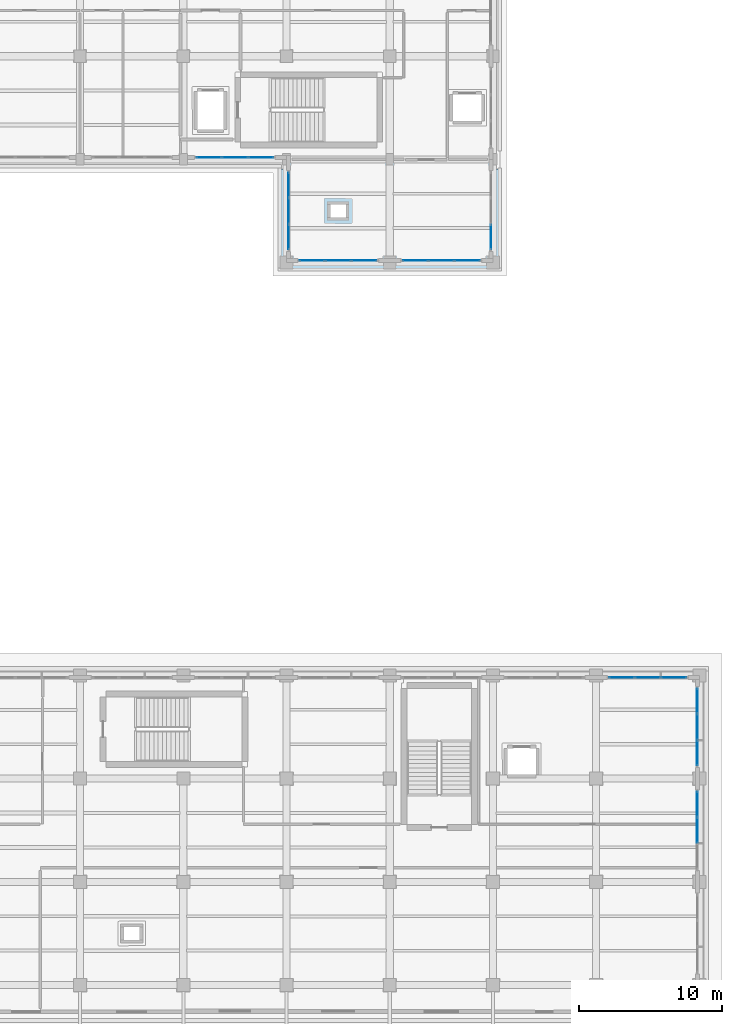
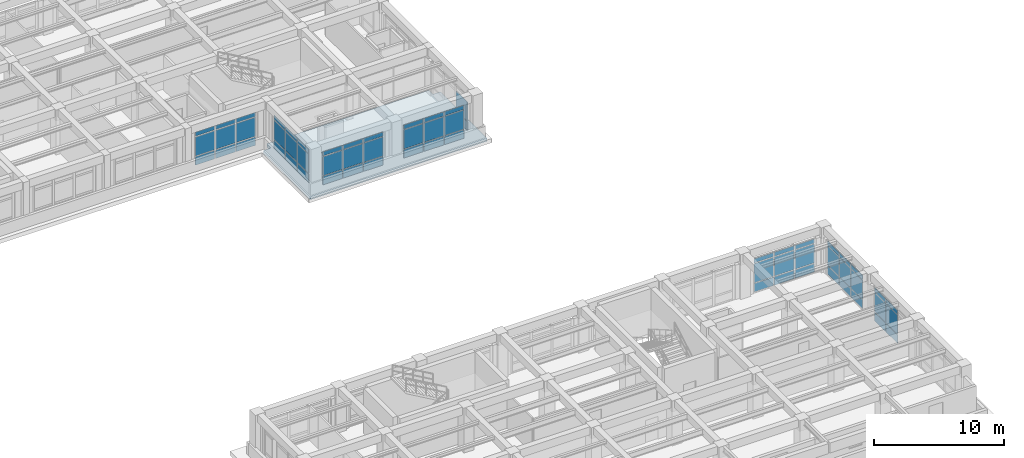
# One storey, part 45 of 69: 62 plates, 1 slab, 8 elements without a shape of their own.
"""IFC4 building model written with IfcOpenShell, lengths in metres."""

from ifc_helpers import new_model, si_unit, direction, frame, origin, origin_2d, place, context, subcontext, project, spatial, polyline, rectangle, outline, extrude, material, layer, layer_set, type_object, element, aggregate, save


model = new_model("IFC4")

# Units and contexts
model_context = context("Model", 3, precision=1e-05, world=origin(), true_north=direction((0.0, 1.0)))
body_context = subcontext(model_context, "Body", "Model", "MODEL_VIEW")
ifc_project = project(units=[si_unit("LENGTHUNIT", "METRE"), si_unit("AREAUNIT", "SQUARE_METRE"), si_unit("VOLUMEUNIT", "CUBIC_METRE"), si_unit("PLANEANGLEUNIT", "RADIAN"), si_unit("MASSUNIT", "GRAM", prefix="KILO")], contexts=[model_context])

# Site, building, storey
site_placement = place(None, origin())
site = spatial("IfcSite", under=ifc_project, at=site_placement, CompositionType="ELEMENT")
building_placement = place(site_placement, origin())
building = spatial("IfcBuilding", under=site, at=building_placement, Name="Solenvale Faculty of Natural Sciences", CompositionType="ELEMENT")
storey_placement = place(building_placement, frame((0.0, 0.0, 4.5)))
storey = spatial("IfcBuildingStorey", under=building, at=storey_placement, Name="L01", CompositionType="ELEMENT", Elevation=4.5)

# Curtain wall, plates
ifc_material_1 = material(Name="Anodised bronze aluminium", Category="aluminium")
ifc_layer_1 = layer(ifc_material_1, 0.179931640625)
ifc_layer_set_1 = layer_set([ifc_layer_1], Name="Anodised bronze aluminium")
curtain_wall_type_1 = type_object("IfcCurtainWallType", Name="CW-TWR-MOD", PredefinedType="USERDEFINED", material=ifc_layer_set_1)
curtain_wall_1_placement = place(storey_placement, origin())
curtain_wall_1 = element("IfcCurtainWall", 1, at=curtain_wall_1_placement, inside=storey, type_object=curtain_wall_type_1, Name="L01 Curtain Wall CW-L01-P2-E6-B8", ObjectType="UNITISED CURTAIN WALL", PredefinedType="USERDEFINED")
ifc_material_2 = material(Name="North-light skylight glass", Category="glass")
ifc_layer_2 = layer(ifc_material_2, 0.028076171875)
ifc_layer_set_2 = layer_set([ifc_layer_2], Name="North-light skylight glass")
plate_type_1 = type_object("IfcPlateType", Name="CWP-PNL-28", PredefinedType="CURTAIN_PANEL", material=ifc_layer_set_2)
plate_1_placement = place(storey_placement, frame((131.385498046875, 93.742431640625, 0.074951171875), z_axis=(0.0, 0.0, 1.0), x_axis=(1.0, 0.0, 0.0)))
plate_1 = element("IfcPlate", 2, at=plate_1_placement, type_object=plate_type_1, Name="CW-04 panel 1.1", PredefinedType="CURTAIN_PANEL", context=body_context, shape_type="SweptSolid", body=[
    extrude(rectangle(XDim=1.720947265625, YDim=0.028076171875, at=origin_2d()), origin(), (0.0, 0.0, 1.0), 0.78759765625),
])
plate_2_placement = place(storey_placement, frame((131.385498046875, 93.742431640625, 0.9375), z_axis=(0.0, 0.0, 1.0), x_axis=(1.0, 0.0, 0.0)))
plate_2 = element("IfcPlate", 3, at=plate_2_placement, type_object=plate_type_1, Name="CW-04 panel 1.2", PredefinedType="CURTAIN_PANEL", context=body_context, shape_type="SweptSolid", body=[
    extrude(rectangle(XDim=1.720947265625, YDim=0.028076171875, at=origin_2d()), origin(), (0.0, 0.0, 1.0), 1.784912109375),
])
plate_3_placement = place(storey_placement, frame((131.385498046875, 93.742431640625, 2.79736328125), z_axis=(0.0, 0.0, 1.0), x_axis=(1.0, 0.0, 0.0)))
plate_3 = element("IfcPlate", 4, at=plate_3_placement, type_object=plate_type_1, Name="CW-04 panel 1.3", PredefinedType="CURTAIN_PANEL", context=body_context, shape_type="SweptSolid", body=[
    extrude(rectangle(XDim=1.720947265625, YDim=0.028076171875, at=origin_2d()), origin(), (0.0, 0.0, 1.0), 0.387451171875),
])
plate_4_placement = place(storey_placement, frame((133.199951171875, 93.742431640625, 0.074951171875), z_axis=(0.0, 0.0, 1.0), x_axis=(1.0, 0.0, 0.0)))
plate_4 = element("IfcPlate", 5, at=plate_4_placement, type_object=plate_type_1, Name="CW-04 panel 2.1", PredefinedType="CURTAIN_PANEL", context=body_context, shape_type="SweptSolid", body=[
    extrude(rectangle(XDim=1.75830078125, YDim=0.028076171875, at=origin_2d()), origin(), (0.0, 0.0, 1.0), 0.78759765625),
])
plate_5_placement = place(storey_placement, frame((133.199951171875, 93.742431640625, 0.9375), z_axis=(0.0, 0.0, 1.0), x_axis=(1.0, 0.0, 0.0)))
plate_5 = element("IfcPlate", 6, at=plate_5_placement, type_object=plate_type_1, Name="CW-04 panel 2.2", PredefinedType="CURTAIN_PANEL", context=body_context, shape_type="SweptSolid", body=[
    extrude(rectangle(XDim=1.75830078125, YDim=0.028076171875, at=origin_2d()), origin(), (0.0, 0.0, 1.0), 1.784912109375),
])
plate_6_placement = place(storey_placement, frame((133.199951171875, 93.742431640625, 2.79736328125), z_axis=(0.0, 0.0, 1.0), x_axis=(1.0, 0.0, 0.0)))
plate_6 = element("IfcPlate", 7, at=plate_6_placement, type_object=plate_type_1, Name="CW-04 panel 2.3", PredefinedType="CURTAIN_PANEL", context=body_context, shape_type="SweptSolid", body=[
    extrude(rectangle(XDim=1.75830078125, YDim=0.028076171875, at=origin_2d()), origin(), (0.0, 0.0, 1.0), 0.387451171875),
])
plate_7_placement = place(storey_placement, frame((135.0146484375, 93.742431640625, 0.074951171875), z_axis=(0.0, 0.0, 1.0), x_axis=(1.0, 0.0, 0.0)))
plate_7 = element("IfcPlate", 8, at=plate_7_placement, type_object=plate_type_1, Name="CW-04 panel 3.1", PredefinedType="CURTAIN_PANEL", context=body_context, shape_type="SweptSolid", body=[
    extrude(rectangle(XDim=1.720947265625, YDim=0.028076171875, at=origin_2d()), origin(), (0.0, 0.0, 1.0), 0.78759765625),
])
plate_8_placement = place(storey_placement, frame((135.0146484375, 93.742431640625, 0.9375), z_axis=(0.0, 0.0, 1.0), x_axis=(1.0, 0.0, 0.0)))
plate_8 = element("IfcPlate", 9, at=plate_8_placement, type_object=plate_type_1, Name="CW-04 panel 3.2", PredefinedType="CURTAIN_PANEL", context=body_context, shape_type="SweptSolid", body=[
    extrude(rectangle(XDim=1.720947265625, YDim=0.028076171875, at=origin_2d()), origin(), (0.0, 0.0, 1.0), 1.784912109375),
])
plate_9_placement = place(storey_placement, frame((135.0146484375, 93.742431640625, 2.79736328125), z_axis=(0.0, 0.0, 1.0), x_axis=(1.0, 0.0, 0.0)))
plate_9 = element("IfcPlate", 10, at=plate_9_placement, type_object=plate_type_1, Name="CW-04 panel 3.3", PredefinedType="CURTAIN_PANEL", context=body_context, shape_type="SweptSolid", body=[
    extrude(rectangle(XDim=1.720947265625, YDim=0.028076171875, at=origin_2d()), origin(), (0.0, 0.0, 1.0), 0.387451171875),
])
aggregate(curtain_wall_1, [plate_1, plate_2, plate_3, plate_4, plate_5, plate_6, plate_7, plate_8, plate_9])

curtain_wall_2_placement = place(storey_placement, origin())
curtain_wall_2 = element("IfcCurtainWall", 11, at=curtain_wall_2_placement, inside=storey, type_object=curtain_wall_type_1, Name="L01 Curtain Wall CW-L01-P2-E7-B1", ObjectType="UNITISED CURTAIN WALL", PredefinedType="USERDEFINED")
ifc_material_3 = material(Name="Triple low-E insulated glass", Category="glass")
ifc_layer_3 = layer(ifc_material_3, 0.035888671875)
ifc_layer_set_3 = layer_set([ifc_layer_3], Name="Triple low-E insulated glass")
plate_type_2 = type_object("IfcPlateType", Name="CWP-PNL-36", PredefinedType="CURTAIN_PANEL", material=ifc_layer_set_3)
plate_10_placement = place(storey_placement, frame((136.9423828125, 91.814697265625, 0.074951171875), z_axis=(0.0, 0.0, 1.0), x_axis=(0.0, -1.0, 0.0)))
plate_10 = element("IfcPlate", 12, at=plate_10_placement, type_object=plate_type_2, Name="CW-04 panel 1.1", PredefinedType="CURTAIN_PANEL", context=body_context, shape_type="SweptSolid", body=[
    extrude(rectangle(XDim=1.720947265625, YDim=0.035888671875, at=origin_2d()), origin(), (0.0, 0.0, 1.0), 0.78759765625),
])
plate_11_placement = place(storey_placement, frame((136.9423828125, 91.814697265625, 0.9375), z_axis=(0.0, 0.0, 1.0), x_axis=(0.0, -1.0, 0.0)))
plate_11 = element("IfcPlate", 13, at=plate_11_placement, type_object=plate_type_2, Name="CW-04 panel 1.2", PredefinedType="CURTAIN_PANEL", context=body_context, shape_type="SweptSolid", body=[
    extrude(rectangle(XDim=1.720947265625, YDim=0.035888671875, at=origin_2d()), origin(), (0.0, 0.0, 1.0), 1.784912109375),
])
plate_12_placement = place(storey_placement, frame((136.9423828125, 91.814697265625, 2.79736328125), z_axis=(0.0, 0.0, 1.0), x_axis=(0.0, -1.0, 0.0)))
plate_12 = element("IfcPlate", 14, at=plate_12_placement, type_object=plate_type_2, Name="CW-04 panel 1.3", PredefinedType="CURTAIN_PANEL", context=body_context, shape_type="SweptSolid", body=[
    extrude(rectangle(XDim=1.720947265625, YDim=0.035888671875, at=origin_2d()), origin(), (0.0, 0.0, 1.0), 0.387451171875),
])
plate_13_placement = place(storey_placement, frame((136.9423828125, 90.0, 0.074951171875), z_axis=(0.0, 0.0, 1.0), x_axis=(0.0, -1.0, 0.0)))
plate_13 = element("IfcPlate", 15, at=plate_13_placement, type_object=plate_type_2, Name="CW-04 panel 2.1", PredefinedType="CURTAIN_PANEL", context=body_context, shape_type="SweptSolid", body=[
    extrude(rectangle(XDim=1.75830078125, YDim=0.035888671875, at=origin_2d()), origin(), (0.0, 0.0, 1.0), 0.78759765625),
])
plate_14_placement = place(storey_placement, frame((136.9423828125, 90.0, 0.9375), z_axis=(0.0, 0.0, 1.0), x_axis=(0.0, -1.0, 0.0)))
plate_14 = element("IfcPlate", 16, at=plate_14_placement, type_object=plate_type_2, Name="CW-04 panel 2.2", PredefinedType="CURTAIN_PANEL", context=body_context, shape_type="SweptSolid", body=[
    extrude(rectangle(XDim=1.75830078125, YDim=0.035888671875, at=origin_2d()), origin(), (0.0, 0.0, 1.0), 1.784912109375),
])
plate_15_placement = place(storey_placement, frame((136.9423828125, 90.0, 2.79736328125), z_axis=(0.0, 0.0, 1.0), x_axis=(0.0, -1.0, 0.0)))
plate_15 = element("IfcPlate", 17, at=plate_15_placement, type_object=plate_type_2, Name="CW-04 panel 2.3", PredefinedType="CURTAIN_PANEL", context=body_context, shape_type="SweptSolid", body=[
    extrude(rectangle(XDim=1.75830078125, YDim=0.035888671875, at=origin_2d()), origin(), (0.0, 0.0, 1.0), 0.387451171875),
])
plate_16_placement = place(storey_placement, frame((136.9423828125, 88.185302734375, 0.074951171875), z_axis=(0.0, 0.0, 1.0), x_axis=(0.0, -1.0, 0.0)))
plate_16 = element("IfcPlate", 18, at=plate_16_placement, type_object=plate_type_2, Name="CW-04 panel 3.1", PredefinedType="CURTAIN_PANEL", context=body_context, shape_type="SweptSolid", body=[
    extrude(rectangle(XDim=1.720947265625, YDim=0.035888671875, at=origin_2d()), origin(), (0.0, 0.0, 1.0), 0.78759765625),
])
plate_17_placement = place(storey_placement, frame((136.9423828125, 88.185302734375, 0.9375), z_axis=(0.0, 0.0, 1.0), x_axis=(0.0, -1.0, 0.0)))
plate_17 = element("IfcPlate", 19, at=plate_17_placement, type_object=plate_type_2, Name="CW-04 panel 3.2", PredefinedType="CURTAIN_PANEL", context=body_context, shape_type="SweptSolid", body=[
    extrude(rectangle(XDim=1.720947265625, YDim=0.035888671875, at=origin_2d()), origin(), (0.0, 0.0, 1.0), 1.784912109375),
])
plate_18_placement = place(storey_placement, frame((136.9423828125, 88.185302734375, 2.79736328125), z_axis=(0.0, 0.0, 1.0), x_axis=(0.0, -1.0, 0.0)))
plate_18 = element("IfcPlate", 20, at=plate_18_placement, type_object=plate_type_2, Name="CW-04 panel 3.3", PredefinedType="CURTAIN_PANEL", context=body_context, shape_type="SweptSolid", body=[
    extrude(rectangle(XDim=1.720947265625, YDim=0.035888671875, at=origin_2d()), origin(), (0.0, 0.0, 1.0), 0.387451171875),
])
aggregate(curtain_wall_2, [plate_10, plate_11, plate_12, plate_13, plate_14, plate_15, plate_16, plate_17, plate_18])

ifc_layer_4 = layer(ifc_material_1, 0.199951171875)
ifc_layer_set_4 = layer_set([ifc_layer_4], Name="Anodised bronze aluminium")
curtain_wall_type_2 = type_object("IfcCurtainWallType", Name="CW-COM-FIN", PredefinedType="USERDEFINED", material=ifc_layer_set_4)
curtain_wall_3_placement = place(storey_placement, origin())
curtain_wall_3 = element("IfcCurtainWall", 21, at=curtain_wall_3_placement, inside=storey, type_object=curtain_wall_type_2, Name="L01 Curtain Wall CW-L01-P1-E9-B1", ObjectType="UNITISED CURTAIN WALL", PredefinedType="USERDEFINED")
ifc_layer_5 = layer(ifc_material_3, 0.0439453125)
ifc_layer_set_5 = layer_set([ifc_layer_5], Name="Triple low-E insulated glass")
plate_type_3 = type_object("IfcPlateType", Name="CWP-PNL-44", PredefinedType="CURTAIN_PANEL", material=ifc_layer_set_5)
plate_19_placement = place(storey_placement, frame((163.814697265625, 57.45751953125, 0.074951171875), z_axis=(0.0, 0.0, 1.0), x_axis=(-1.0, 0.0, 0.0)))
plate_19 = element("IfcPlate", 22, at=plate_19_placement, type_object=plate_type_3, Name="CW-03 panel 1.1", PredefinedType="CURTAIN_PANEL", context=body_context, shape_type="SweptSolid", body=[
    extrude(rectangle(XDim=1.720947265625, YDim=0.0439453125, at=origin_2d()), origin(), (0.0, 0.0, 1.0), 0.78759765625),
])
plate_20_placement = place(storey_placement, frame((163.814697265625, 57.45751953125, 0.9375), z_axis=(0.0, 0.0, 1.0), x_axis=(-1.0, 0.0, 0.0)))
plate_20 = element("IfcPlate", 23, at=plate_20_placement, type_object=plate_type_3, Name="CW-03 panel 1.2", PredefinedType="CURTAIN_PANEL", context=body_context, shape_type="SweptSolid", body=[
    extrude(rectangle(XDim=1.720947265625, YDim=0.0439453125, at=origin_2d()), origin(), (0.0, 0.0, 1.0), 1.784912109375),
])
plate_21_placement = place(storey_placement, frame((163.814697265625, 57.45751953125, 2.79736328125), z_axis=(0.0, 0.0, 1.0), x_axis=(-1.0, 0.0, 0.0)))
plate_21 = element("IfcPlate", 24, at=plate_21_placement, type_object=plate_type_3, Name="CW-03 panel 1.3", PredefinedType="CURTAIN_PANEL", context=body_context, shape_type="SweptSolid", body=[
    extrude(rectangle(XDim=1.720947265625, YDim=0.0439453125, at=origin_2d()), origin(), (0.0, 0.0, 1.0), 0.387451171875),
])
plate_22_placement = place(storey_placement, frame((162.0, 57.45751953125, 0.074951171875), z_axis=(0.0, 0.0, 1.0), x_axis=(-1.0, 0.0, 0.0)))
plate_22 = element("IfcPlate", 25, at=plate_22_placement, type_object=plate_type_3, Name="CW-03 panel 2.1", PredefinedType="CURTAIN_PANEL", context=body_context, shape_type="SweptSolid", body=[
    extrude(rectangle(XDim=1.75830078125, YDim=0.0439453125, at=origin_2d()), origin(), (0.0, 0.0, 1.0), 0.78759765625),
])
plate_23_placement = place(storey_placement, frame((162.0, 57.45751953125, 0.9375), z_axis=(0.0, 0.0, 1.0), x_axis=(-1.0, 0.0, 0.0)))
plate_23 = element("IfcPlate", 26, at=plate_23_placement, type_object=plate_type_3, Name="CW-03 panel 2.2", PredefinedType="CURTAIN_PANEL", context=body_context, shape_type="SweptSolid", body=[
    extrude(rectangle(XDim=1.75830078125, YDim=0.0439453125, at=origin_2d()), origin(), (0.0, 0.0, 1.0), 1.784912109375),
])
plate_24_placement = place(storey_placement, frame((162.0, 57.45751953125, 2.79736328125), z_axis=(0.0, 0.0, 1.0), x_axis=(-1.0, 0.0, 0.0)))
plate_24 = element("IfcPlate", 27, at=plate_24_placement, type_object=plate_type_3, Name="CW-03 panel 2.3", PredefinedType="CURTAIN_PANEL", context=body_context, shape_type="SweptSolid", body=[
    extrude(rectangle(XDim=1.75830078125, YDim=0.0439453125, at=origin_2d()), origin(), (0.0, 0.0, 1.0), 0.387451171875),
])
plate_25_placement = place(storey_placement, frame((160.185302734375, 57.45751953125, 0.074951171875), z_axis=(0.0, 0.0, 1.0), x_axis=(-1.0, 0.0, 0.0)))
plate_25 = element("IfcPlate", 28, at=plate_25_placement, type_object=plate_type_3, Name="CW-03 panel 3.1", PredefinedType="CURTAIN_PANEL", context=body_context, shape_type="SweptSolid", body=[
    extrude(rectangle(XDim=1.720947265625, YDim=0.0439453125, at=origin_2d()), origin(), (0.0, 0.0, 1.0), 0.78759765625),
])
plate_26_placement = place(storey_placement, frame((160.185302734375, 57.45751953125, 0.9375), z_axis=(0.0, 0.0, 1.0), x_axis=(-1.0, 0.0, 0.0)))
plate_26 = element("IfcPlate", 29, at=plate_26_placement, type_object=plate_type_3, Name="CW-03 panel 3.2", PredefinedType="CURTAIN_PANEL", context=body_context, shape_type="SweptSolid", body=[
    extrude(rectangle(XDim=1.720947265625, YDim=0.0439453125, at=origin_2d()), origin(), (0.0, 0.0, 1.0), 1.784912109375),
])
plate_27_placement = place(storey_placement, frame((160.185302734375, 57.45751953125, 2.79736328125), z_axis=(0.0, 0.0, 1.0), x_axis=(-1.0, 0.0, 0.0)))
plate_27 = element("IfcPlate", 30, at=plate_27_placement, type_object=plate_type_3, Name="CW-03 panel 3.3", PredefinedType="CURTAIN_PANEL", context=body_context, shape_type="SweptSolid", body=[
    extrude(rectangle(XDim=1.720947265625, YDim=0.0439453125, at=origin_2d()), origin(), (0.0, 0.0, 1.0), 0.387451171875),
])
aggregate(curtain_wall_3, [plate_19, plate_20, plate_21, plate_22, plate_23, plate_24, plate_25, plate_26, plate_27])

curtain_wall_4_placement = place(storey_placement, origin())
curtain_wall_4 = element("IfcCurtainWall", 31, at=curtain_wall_4_placement, inside=storey, type_object=curtain_wall_type_1, Name="L01 Curtain Wall CW-L01-P2-E1-B1", ObjectType="UNITISED CURTAIN WALL", PredefinedType="USERDEFINED")
plate_28_placement = place(storey_placement, frame((138.58544921875, 86.54248046875, 0.074951171875), z_axis=(0.0, 0.0, 1.0), x_axis=(1.0, 0.0, 0.0)))
plate_28 = element("IfcPlate", 32, at=plate_28_placement, type_object=plate_type_3, Name="CW-04 panel 1.1", PredefinedType="CURTAIN_PANEL", context=body_context, shape_type="SweptSolid", body=[
    extrude(rectangle(XDim=1.720947265625, YDim=0.0439453125, at=origin_2d()), origin(), (0.0, 0.0, 1.0), 0.78759765625),
])
plate_29_placement = place(storey_placement, frame((138.58544921875, 86.54248046875, 0.9375), z_axis=(0.0, 0.0, 1.0), x_axis=(1.0, 0.0, 0.0)))
plate_29 = element("IfcPlate", 33, at=plate_29_placement, type_object=plate_type_3, Name="CW-04 panel 1.2", PredefinedType="CURTAIN_PANEL", context=body_context, shape_type="SweptSolid", body=[
    extrude(rectangle(XDim=1.720947265625, YDim=0.0439453125, at=origin_2d()), origin(), (0.0, 0.0, 1.0), 1.784912109375),
])
plate_30_placement = place(storey_placement, frame((138.58544921875, 86.54248046875, 2.79736328125), z_axis=(0.0, 0.0, 1.0), x_axis=(1.0, 0.0, 0.0)))
plate_30 = element("IfcPlate", 34, at=plate_30_placement, type_object=plate_type_3, Name="CW-04 panel 1.3", PredefinedType="CURTAIN_PANEL", context=body_context, shape_type="SweptSolid", body=[
    extrude(rectangle(XDim=1.720947265625, YDim=0.0439453125, at=origin_2d()), origin(), (0.0, 0.0, 1.0), 0.387451171875),
])
plate_31_placement = place(storey_placement, frame((140.39990234375, 86.54248046875, 0.074951171875), z_axis=(0.0, 0.0, 1.0), x_axis=(1.0, 0.0, 0.0)))
plate_31 = element("IfcPlate", 35, at=plate_31_placement, type_object=plate_type_3, Name="CW-04 panel 2.1", PredefinedType="CURTAIN_PANEL", context=body_context, shape_type="SweptSolid", body=[
    extrude(rectangle(XDim=1.75830078125, YDim=0.0439453125, at=origin_2d()), origin(), (0.0, 0.0, 1.0), 0.78759765625),
])
plate_32_placement = place(storey_placement, frame((140.39990234375, 86.54248046875, 0.9375), z_axis=(0.0, 0.0, 1.0), x_axis=(1.0, 0.0, 0.0)))
plate_32 = element("IfcPlate", 36, at=plate_32_placement, type_object=plate_type_3, Name="CW-04 panel 2.2", PredefinedType="CURTAIN_PANEL", context=body_context, shape_type="SweptSolid", body=[
    extrude(rectangle(XDim=1.75830078125, YDim=0.0439453125, at=origin_2d()), origin(), (0.0, 0.0, 1.0), 1.784912109375),
])
plate_33_placement = place(storey_placement, frame((140.39990234375, 86.54248046875, 2.79736328125), z_axis=(0.0, 0.0, 1.0), x_axis=(1.0, 0.0, 0.0)))
plate_33 = element("IfcPlate", 37, at=plate_33_placement, type_object=plate_type_3, Name="CW-04 panel 2.3", PredefinedType="CURTAIN_PANEL", context=body_context, shape_type="SweptSolid", body=[
    extrude(rectangle(XDim=1.75830078125, YDim=0.0439453125, at=origin_2d()), origin(), (0.0, 0.0, 1.0), 0.387451171875),
])
plate_34_placement = place(storey_placement, frame((142.214599609375, 86.54248046875, 0.074951171875), z_axis=(0.0, 0.0, 1.0), x_axis=(1.0, 0.0, 0.0)))
plate_34 = element("IfcPlate", 38, at=plate_34_placement, type_object=plate_type_3, Name="CW-04 panel 3.1", PredefinedType="CURTAIN_PANEL", context=body_context, shape_type="SweptSolid", body=[
    extrude(rectangle(XDim=1.720947265625, YDim=0.0439453125, at=origin_2d()), origin(), (0.0, 0.0, 1.0), 0.78759765625),
])
plate_35_placement = place(storey_placement, frame((142.214599609375, 86.54248046875, 0.9375), z_axis=(0.0, 0.0, 1.0), x_axis=(1.0, 0.0, 0.0)))
plate_35 = element("IfcPlate", 39, at=plate_35_placement, type_object=plate_type_3, Name="CW-04 panel 3.2", PredefinedType="CURTAIN_PANEL", context=body_context, shape_type="SweptSolid", body=[
    extrude(rectangle(XDim=1.720947265625, YDim=0.0439453125, at=origin_2d()), origin(), (0.0, 0.0, 1.0), 1.784912109375),
])
plate_36_placement = place(storey_placement, frame((142.214599609375, 86.54248046875, 2.79736328125), z_axis=(0.0, 0.0, 1.0), x_axis=(1.0, 0.0, 0.0)))
plate_36 = element("IfcPlate", 40, at=plate_36_placement, type_object=plate_type_3, Name="CW-04 panel 3.3", PredefinedType="CURTAIN_PANEL", context=body_context, shape_type="SweptSolid", body=[
    extrude(rectangle(XDim=1.720947265625, YDim=0.0439453125, at=origin_2d()), origin(), (0.0, 0.0, 1.0), 0.387451171875),
])
aggregate(curtain_wall_4, [plate_28, plate_29, plate_30, plate_31, plate_32, plate_33, plate_34, plate_35, plate_36])

curtain_wall_5_placement = place(storey_placement, origin())
curtain_wall_5 = element("IfcCurtainWall", 41, at=curtain_wall_5_placement, inside=storey, type_object=curtain_wall_type_2, Name="L01 Curtain Wall CW-L01-P1-E8-B3", ObjectType="UNITISED CURTAIN WALL", PredefinedType="USERDEFINED")
ifc_layer_6 = layer(ifc_material_1, 0.048095703125)
ifc_layer_set_6 = layer_set([ifc_layer_6], Name="Anodised bronze aluminium")
plate_type_4 = type_object("IfcPlateType", Name="CWP-PNL-48", PredefinedType="CURTAIN_PANEL", material=ifc_layer_set_6)
plate_37_placement = place(storey_placement, frame((165.45751953125, 46.800048828125, 0.074951171875), z_axis=(0.0, 0.0, 1.0), x_axis=(0.0, 1.0, 0.0)))
plate_37 = element("IfcPlate", 42, at=plate_37_placement, type_object=plate_type_4, Name="CW-03 panel 2.1", PredefinedType="CURTAIN_PANEL", context=body_context, shape_type="SweptSolid", body=[
    extrude(rectangle(XDim=1.75830078125, YDim=0.048095703125, at=origin_2d()), origin(), (0.0, 0.0, 1.0), 0.78759765625),
])
plate_38_placement = place(storey_placement, frame((165.45751953125, 46.800048828125, 0.9375), z_axis=(0.0, 0.0, 1.0), x_axis=(0.0, 1.0, 0.0)))
plate_38 = element("IfcPlate", 43, at=plate_38_placement, type_object=plate_type_4, Name="CW-03 panel 2.2", PredefinedType="CURTAIN_PANEL", context=body_context, shape_type="SweptSolid", body=[
    extrude(rectangle(XDim=1.75830078125, YDim=0.048095703125, at=origin_2d()), origin(), (0.0, 0.0, 1.0), 1.784912109375),
])
plate_39_placement = place(storey_placement, frame((165.45751953125, 46.800048828125, 2.79736328125), z_axis=(0.0, 0.0, 1.0), x_axis=(0.0, 1.0, 0.0)))
plate_39 = element("IfcPlate", 44, at=plate_39_placement, type_object=plate_type_4, Name="CW-03 panel 2.3", PredefinedType="CURTAIN_PANEL", context=body_context, shape_type="SweptSolid", body=[
    extrude(rectangle(XDim=1.75830078125, YDim=0.048095703125, at=origin_2d()), origin(), (0.0, 0.0, 1.0), 0.387451171875),
])
plate_40_placement = place(storey_placement, frame((165.45751953125, 48.614501953125, 0.074951171875), z_axis=(0.0, 0.0, 1.0), x_axis=(0.0, 1.0, 0.0)))
plate_40 = element("IfcPlate", 45, at=plate_40_placement, type_object=plate_type_4, Name="CW-03 panel 3.1", PredefinedType="CURTAIN_PANEL", context=body_context, shape_type="SweptSolid", body=[
    extrude(rectangle(XDim=1.720947265625, YDim=0.048095703125, at=origin_2d()), origin(), (0.0, 0.0, 1.0), 0.78759765625),
])
plate_41_placement = place(storey_placement, frame((165.45751953125, 48.614501953125, 0.9375), z_axis=(0.0, 0.0, 1.0), x_axis=(0.0, 1.0, 0.0)))
plate_41 = element("IfcPlate", 46, at=plate_41_placement, type_object=plate_type_4, Name="CW-03 panel 3.2", PredefinedType="CURTAIN_PANEL", context=body_context, shape_type="SweptSolid", body=[
    extrude(rectangle(XDim=1.720947265625, YDim=0.048095703125, at=origin_2d()), origin(), (0.0, 0.0, 1.0), 1.784912109375),
])
plate_42_placement = place(storey_placement, frame((165.45751953125, 48.614501953125, 2.79736328125), z_axis=(0.0, 0.0, 1.0), x_axis=(0.0, 1.0, 0.0)))
plate_42 = element("IfcPlate", 47, at=plate_42_placement, type_object=plate_type_4, Name="CW-03 panel 3.3", PredefinedType="CURTAIN_PANEL", context=body_context, shape_type="SweptSolid", body=[
    extrude(rectangle(XDim=1.720947265625, YDim=0.048095703125, at=origin_2d()), origin(), (0.0, 0.0, 1.0), 0.387451171875),
])
aggregate(curtain_wall_5, [plate_37, plate_38, plate_39, plate_40, plate_41, plate_42])

curtain_wall_6_placement = place(storey_placement, origin())
curtain_wall_6 = element("IfcCurtainWall", 48, at=curtain_wall_6_placement, inside=storey, type_object=curtain_wall_type_1, Name="L01 Curtain Wall CW-L01-P2-E1-B2", ObjectType="UNITISED CURTAIN WALL", PredefinedType="USERDEFINED")
plate_43_placement = place(storey_placement, frame((145.785400390625, 86.54248046875, 0.074951171875), z_axis=(0.0, 0.0, 1.0), x_axis=(1.0, 0.0, 0.0)))
plate_43 = element("IfcPlate", 49, at=plate_43_placement, type_object=plate_type_4, Name="CW-04 panel 1.1", PredefinedType="CURTAIN_PANEL", context=body_context, shape_type="SweptSolid", body=[
    extrude(rectangle(XDim=1.720947265625, YDim=0.048095703125, at=origin_2d()), origin(), (0.0, 0.0, 1.0), 0.78759765625),
])
plate_44_placement = place(storey_placement, frame((145.785400390625, 86.54248046875, 0.9375), z_axis=(0.0, 0.0, 1.0), x_axis=(1.0, 0.0, 0.0)))
plate_44 = element("IfcPlate", 50, at=plate_44_placement, type_object=plate_type_4, Name="CW-04 panel 1.2", PredefinedType="CURTAIN_PANEL", context=body_context, shape_type="SweptSolid", body=[
    extrude(rectangle(XDim=1.720947265625, YDim=0.048095703125, at=origin_2d()), origin(), (0.0, 0.0, 1.0), 1.784912109375),
])
plate_45_placement = place(storey_placement, frame((145.785400390625, 86.54248046875, 2.79736328125), z_axis=(0.0, 0.0, 1.0), x_axis=(1.0, 0.0, 0.0)))
plate_45 = element("IfcPlate", 51, at=plate_45_placement, type_object=plate_type_4, Name="CW-04 panel 1.3", PredefinedType="CURTAIN_PANEL", context=body_context, shape_type="SweptSolid", body=[
    extrude(rectangle(XDim=1.720947265625, YDim=0.048095703125, at=origin_2d()), origin(), (0.0, 0.0, 1.0), 0.387451171875),
])
plate_46_placement = place(storey_placement, frame((147.60009765625, 86.54248046875, 0.074951171875), z_axis=(0.0, 0.0, 1.0), x_axis=(1.0, 0.0, 0.0)))
plate_46 = element("IfcPlate", 52, at=plate_46_placement, type_object=plate_type_4, Name="CW-04 panel 2.1", PredefinedType="CURTAIN_PANEL", context=body_context, shape_type="SweptSolid", body=[
    extrude(rectangle(XDim=1.75830078125, YDim=0.048095703125, at=origin_2d()), origin(), (0.0, 0.0, 1.0), 0.78759765625),
])
plate_47_placement = place(storey_placement, frame((147.60009765625, 86.54248046875, 0.9375), z_axis=(0.0, 0.0, 1.0), x_axis=(1.0, 0.0, 0.0)))
plate_47 = element("IfcPlate", 53, at=plate_47_placement, type_object=plate_type_4, Name="CW-04 panel 2.2", PredefinedType="CURTAIN_PANEL", context=body_context, shape_type="SweptSolid", body=[
    extrude(rectangle(XDim=1.75830078125, YDim=0.048095703125, at=origin_2d()), origin(), (0.0, 0.0, 1.0), 1.784912109375),
])
plate_48_placement = place(storey_placement, frame((147.60009765625, 86.54248046875, 2.79736328125), z_axis=(0.0, 0.0, 1.0), x_axis=(1.0, 0.0, 0.0)))
plate_48 = element("IfcPlate", 54, at=plate_48_placement, type_object=plate_type_4, Name="CW-04 panel 2.3", PredefinedType="CURTAIN_PANEL", context=body_context, shape_type="SweptSolid", body=[
    extrude(rectangle(XDim=1.75830078125, YDim=0.048095703125, at=origin_2d()), origin(), (0.0, 0.0, 1.0), 0.387451171875),
])
plate_49_placement = place(storey_placement, frame((149.41455078125, 86.54248046875, 0.074951171875), z_axis=(0.0, 0.0, 1.0), x_axis=(1.0, 0.0, 0.0)))
plate_49 = element("IfcPlate", 55, at=plate_49_placement, type_object=plate_type_4, Name="CW-04 panel 3.1", PredefinedType="CURTAIN_PANEL", context=body_context, shape_type="SweptSolid", body=[
    extrude(rectangle(XDim=1.720947265625, YDim=0.048095703125, at=origin_2d()), origin(), (0.0, 0.0, 1.0), 0.78759765625),
])
plate_50_placement = place(storey_placement, frame((149.41455078125, 86.54248046875, 0.9375), z_axis=(0.0, 0.0, 1.0), x_axis=(1.0, 0.0, 0.0)))
plate_50 = element("IfcPlate", 56, at=plate_50_placement, type_object=plate_type_4, Name="CW-04 panel 3.2", PredefinedType="CURTAIN_PANEL", context=body_context, shape_type="SweptSolid", body=[
    extrude(rectangle(XDim=1.720947265625, YDim=0.048095703125, at=origin_2d()), origin(), (0.0, 0.0, 1.0), 1.784912109375),
])
plate_51_placement = place(storey_placement, frame((149.41455078125, 86.54248046875, 2.79736328125), z_axis=(0.0, 0.0, 1.0), x_axis=(1.0, 0.0, 0.0)))
plate_51 = element("IfcPlate", 57, at=plate_51_placement, type_object=plate_type_4, Name="CW-04 panel 3.3", PredefinedType="CURTAIN_PANEL", context=body_context, shape_type="SweptSolid", body=[
    extrude(rectangle(XDim=1.720947265625, YDim=0.048095703125, at=origin_2d()), origin(), (0.0, 0.0, 1.0), 0.387451171875),
])
aggregate(curtain_wall_6, [plate_43, plate_44, plate_45, plate_46, plate_47, plate_48, plate_49, plate_50, plate_51])

curtain_wall_7_placement = place(storey_placement, origin())
curtain_wall_7 = element("IfcCurtainWall", 58, at=curtain_wall_7_placement, inside=storey, type_object=curtain_wall_type_1, Name="L01 Curtain Wall CW-L01-P2-E2-B1", ObjectType="UNITISED CURTAIN WALL", PredefinedType="USERDEFINED")
plate_52_placement = place(storey_placement, frame((151.0576171875, 88.185302734375, 0.074951171875), z_axis=(0.0, 0.0, 1.0), x_axis=(0.0, 1.0, 0.0)))
plate_52 = element("IfcPlate", 59, at=plate_52_placement, type_object=plate_type_4, Name="CW-04 panel 1.1", PredefinedType="CURTAIN_PANEL", context=body_context, shape_type="SweptSolid", body=[
    extrude(rectangle(XDim=1.720947265625, YDim=0.048095703125, at=origin_2d()), origin(), (0.0, 0.0, 1.0), 0.78759765625),
])
plate_53_placement = place(storey_placement, frame((151.0576171875, 88.185302734375, 0.9375), z_axis=(0.0, 0.0, 1.0), x_axis=(0.0, 1.0, 0.0)))
plate_53 = element("IfcPlate", 60, at=plate_53_placement, type_object=plate_type_4, Name="CW-04 panel 1.2", PredefinedType="CURTAIN_PANEL", context=body_context, shape_type="SweptSolid", body=[
    extrude(rectangle(XDim=1.720947265625, YDim=0.048095703125, at=origin_2d()), origin(), (0.0, 0.0, 1.0), 1.784912109375),
])
aggregate(curtain_wall_7, [plate_52, plate_53])

curtain_wall_8_placement = place(storey_placement, origin())
curtain_wall_8 = element("IfcCurtainWall", 61, at=curtain_wall_8_placement, inside=storey, type_object=curtain_wall_type_2, Name="L01 Curtain Wall CW-L01-P1-E8-B4", ObjectType="UNITISED CURTAIN WALL", PredefinedType="USERDEFINED")
ifc_layer_7 = layer(ifc_material_1, 0.053955078125)
ifc_layer_set_7 = layer_set([ifc_layer_7], Name="Anodised bronze aluminium")
plate_type_5 = type_object("IfcPlateType", Name="CWP-PNL-54", PredefinedType="CURTAIN_PANEL", material=ifc_layer_set_7)
plate_54_placement = place(storey_placement, frame((165.45751953125, 52.185302734375, 0.074951171875), z_axis=(0.0, 0.0, 1.0), x_axis=(0.0, 1.0, 0.0)))
plate_54 = element("IfcPlate", 62, at=plate_54_placement, type_object=plate_type_5, Name="CW-03 panel 1.1", PredefinedType="CURTAIN_PANEL", context=body_context, shape_type="SweptSolid", body=[
    extrude(rectangle(XDim=1.720947265625, YDim=0.053955078125, at=origin_2d()), origin(), (0.0, 0.0, 1.0), 0.78759765625),
])
plate_55_placement = place(storey_placement, frame((165.45751953125, 52.185302734375, 0.9375), z_axis=(0.0, 0.0, 1.0), x_axis=(0.0, 1.0, 0.0)))
plate_55 = element("IfcPlate", 63, at=plate_55_placement, type_object=plate_type_5, Name="CW-03 panel 1.2", PredefinedType="CURTAIN_PANEL", context=body_context, shape_type="SweptSolid", body=[
    extrude(rectangle(XDim=1.720947265625, YDim=0.053955078125, at=origin_2d()), origin(), (0.0, 0.0, 1.0), 1.784912109375),
])
plate_56_placement = place(storey_placement, frame((165.45751953125, 52.185302734375, 2.79736328125), z_axis=(0.0, 0.0, 1.0), x_axis=(0.0, 1.0, 0.0)))
plate_56 = element("IfcPlate", 64, at=plate_56_placement, type_object=plate_type_5, Name="CW-03 panel 1.3", PredefinedType="CURTAIN_PANEL", context=body_context, shape_type="SweptSolid", body=[
    extrude(rectangle(XDim=1.720947265625, YDim=0.053955078125, at=origin_2d()), origin(), (0.0, 0.0, 1.0), 0.387451171875),
])
plate_57_placement = place(storey_placement, frame((165.45751953125, 54.0, 0.074951171875), z_axis=(0.0, 0.0, 1.0), x_axis=(0.0, 1.0, 0.0)))
plate_57 = element("IfcPlate", 65, at=plate_57_placement, type_object=plate_type_5, Name="CW-03 panel 2.1", PredefinedType="CURTAIN_PANEL", context=body_context, shape_type="SweptSolid", body=[
    extrude(rectangle(XDim=1.75830078125, YDim=0.053955078125, at=origin_2d()), origin(), (0.0, 0.0, 1.0), 0.78759765625),
])
plate_58_placement = place(storey_placement, frame((165.45751953125, 54.0, 0.9375), z_axis=(0.0, 0.0, 1.0), x_axis=(0.0, 1.0, 0.0)))
plate_58 = element("IfcPlate", 66, at=plate_58_placement, type_object=plate_type_5, Name="CW-03 panel 2.2", PredefinedType="CURTAIN_PANEL", context=body_context, shape_type="SweptSolid", body=[
    extrude(rectangle(XDim=1.75830078125, YDim=0.053955078125, at=origin_2d()), origin(), (0.0, 0.0, 1.0), 1.784912109375),
])
plate_59_placement = place(storey_placement, frame((165.45751953125, 54.0, 2.79736328125), z_axis=(0.0, 0.0, 1.0), x_axis=(0.0, 1.0, 0.0)))
plate_59 = element("IfcPlate", 67, at=plate_59_placement, type_object=plate_type_5, Name="CW-03 panel 2.3", PredefinedType="CURTAIN_PANEL", context=body_context, shape_type="SweptSolid", body=[
    extrude(rectangle(XDim=1.75830078125, YDim=0.053955078125, at=origin_2d()), origin(), (0.0, 0.0, 1.0), 0.387451171875),
])
plate_60_placement = place(storey_placement, frame((165.45751953125, 55.814697265625, 0.074951171875), z_axis=(0.0, 0.0, 1.0), x_axis=(0.0, 1.0, 0.0)))
plate_60 = element("IfcPlate", 68, at=plate_60_placement, type_object=plate_type_5, Name="CW-03 panel 3.1", PredefinedType="CURTAIN_PANEL", context=body_context, shape_type="SweptSolid", body=[
    extrude(rectangle(XDim=1.720947265625, YDim=0.053955078125, at=origin_2d()), origin(), (0.0, 0.0, 1.0), 0.78759765625),
])
plate_61_placement = place(storey_placement, frame((165.45751953125, 55.814697265625, 0.9375), z_axis=(0.0, 0.0, 1.0), x_axis=(0.0, 1.0, 0.0)))
plate_61 = element("IfcPlate", 69, at=plate_61_placement, type_object=plate_type_5, Name="CW-03 panel 3.2", PredefinedType="CURTAIN_PANEL", context=body_context, shape_type="SweptSolid", body=[
    extrude(rectangle(XDim=1.720947265625, YDim=0.053955078125, at=origin_2d()), origin(), (0.0, 0.0, 1.0), 1.784912109375),
])
plate_62_placement = place(storey_placement, frame((165.45751953125, 55.814697265625, 2.79736328125), z_axis=(0.0, 0.0, 1.0), x_axis=(0.0, 1.0, 0.0)))
plate_62 = element("IfcPlate", 70, at=plate_62_placement, type_object=plate_type_5, Name="CW-03 panel 3.3", PredefinedType="CURTAIN_PANEL", context=body_context, shape_type="SweptSolid", body=[
    extrude(rectangle(XDim=1.720947265625, YDim=0.053955078125, at=origin_2d()), origin(), (0.0, 0.0, 1.0), 0.387451171875),
])
aggregate(curtain_wall_8, [plate_54, plate_55, plate_56, plate_57, plate_58, plate_59, plate_60, plate_61, plate_62])

# Slab
ifc_material_4 = material(Name="Concrete 40 MPa", Category="concrete")
ifc_layer_8 = layer(ifc_material_4, 0.280029296875)
ifc_layer_set_8 = layer_set([ifc_layer_8], Name="Concrete 40 MPa")
slab_type = type_object("IfcSlabType", Name="SL-FLR-280", PredefinedType="FLOOR", material=ifc_layer_set_8)
slab_placement = place(storey_placement, frame((0.0, 0.0, -0.280029296875)))
element("IfcSlab", 71, at=slab_placement, inside=storey, type_object=slab_type, Name="L01 V5E Floor Slab 1.1", PredefinedType="FLOOR", context=body_context, shape_type="SweptSolid", body=[
    extrude(outline(polyline([(136.14501953125, 85.719970703125), (136.127197265625, 85.727294921875), (136.1201171875, 85.7451171875), (136.1201171875, 92.8974609375), (136.129150390625, 92.914306640625), (136.14501953125, 92.919921875), (136.780029296875, 92.919921875), (136.780029296875, 93.544921875), (136.79541015625, 93.568115234375), (151.195068359375, 93.570068359375), (151.212646484375, 93.562744140625), (151.219970703125, 93.544921875), (151.219970703125, 92.919921875), (151.85498046875, 92.919921875), (151.878173828125, 92.904541015625), (151.8798828125, 85.7451171875), (151.864501953125, 85.721923828125), (136.14501953125, 85.719970703125)]), holes=[polyline([(139.85009765625, 89.550048828125), (140.949951171875, 89.550048828125), (140.949951171875, 90.449951171875), (139.85009765625, 90.449951171875), (139.85009765625, 89.550048828125)])]), origin(), (0.0, 0.0, 1.0), 0.280029296875),
])

save(model, "model.ifc")
